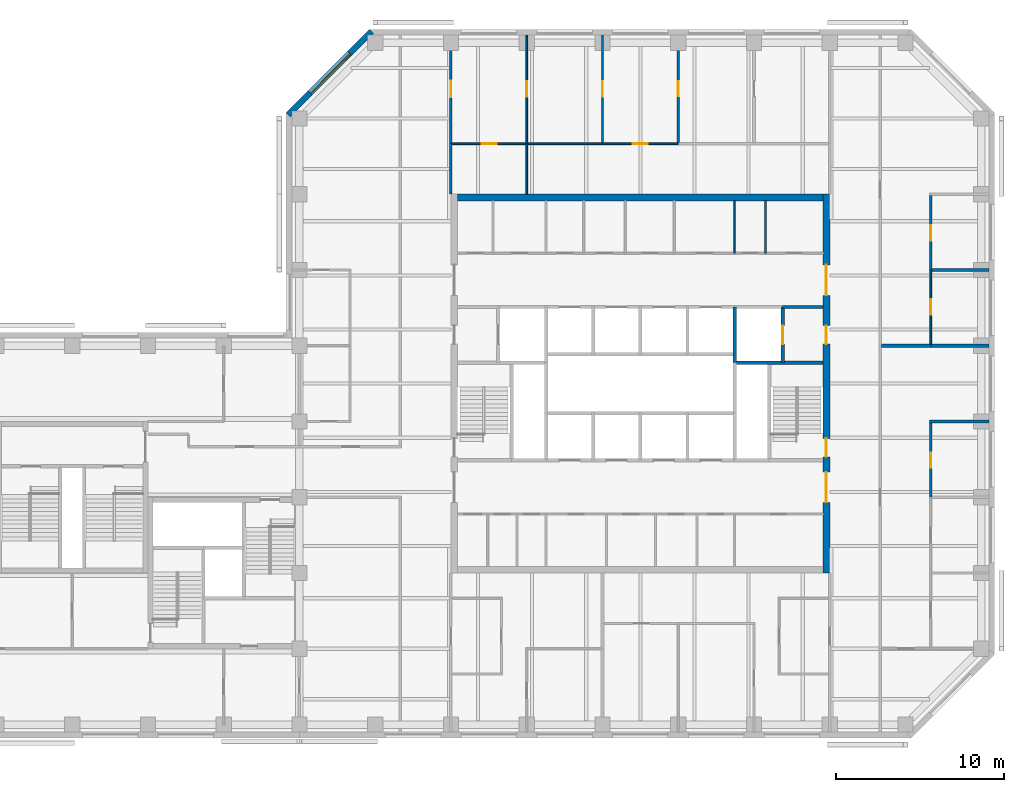
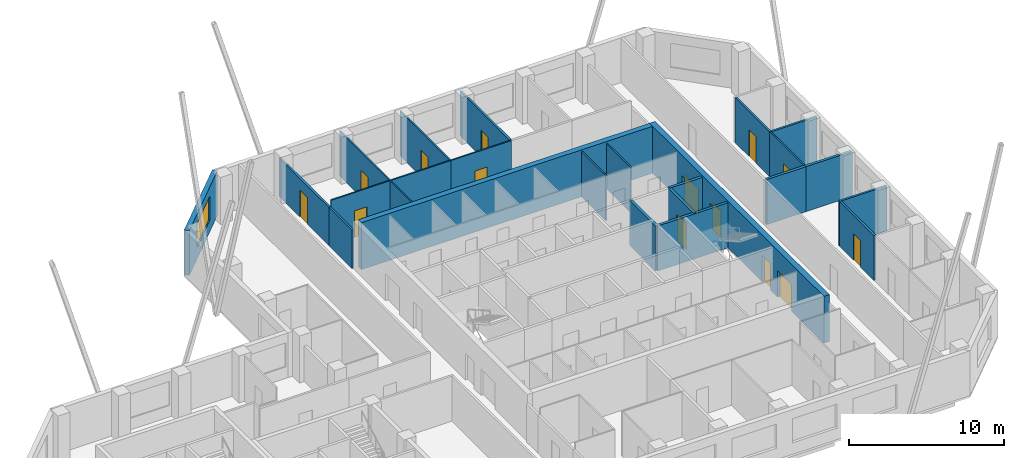
# One storey, part 7 of 10: 25 walls, 14 doors, 1 window, 15 openings.
"""IFC4 building model written with IfcOpenShell, lengths in metres."""

from ifc_helpers import new_model, si_unit, direction, frame, frame_2d, origin, place, context, subcontext, project, spatial, rectangle, extrude, material, layer, layer_set, constituent, constituent_set, type_object, element, fill, save


model = new_model("IFC4")

# Units and contexts
model_context = context("Model", 3, precision=1e-05, world=origin(), true_north=direction((0.0, 1.0)))
body_context = subcontext(model_context, "Body", "Model", "MODEL_VIEW")
ifc_project = project(units=[si_unit("LENGTHUNIT", "METRE"), si_unit("AREAUNIT", "SQUARE_METRE"), si_unit("VOLUMEUNIT", "CUBIC_METRE"), si_unit("PLANEANGLEUNIT", "RADIAN"), si_unit("MASSUNIT", "GRAM", prefix="KILO")], contexts=[model_context])

# Site, building, storey
site_placement = place(None, origin())
site = spatial("IfcSite", under=ifc_project, at=site_placement, CompositionType="ELEMENT")
building_placement = place(site_placement, origin())
building = spatial("IfcBuilding", under=site, at=building_placement, Name="Quoin Convention Tower", CompositionType="ELEMENT")
storey_placement = place(building_placement, frame((0.0, 0.0, 234.10009765625)))
storey = spatial("IfcBuildingStorey", under=building, at=storey_placement, Name="L61", CompositionType="ELEMENT", Elevation=234.10009765625)

# Walls
ifc_material_1 = material(Name="Plasterboard")
ifc_layer_1 = layer(ifc_material_1, 0.012451171875, Name="Finish")
ifc_material_2 = material(Name="Steel stud framing", Category="steel")
ifc_layer_2 = layer(ifc_material_2, 0.125, Name="Structure")
ifc_layer_3 = layer(ifc_material_1, 0.012451171875, Name="Finish")
ifc_layer_set_1 = layer_set([ifc_layer_1, ifc_layer_2, ifc_layer_3], Name="Steel stud framing")
wall_type_1 = type_object("IfcWallType", Name="Acoustic partition 150", PredefinedType="PARTITIONING", material=ifc_layer_set_1)
wall_1_placement = place(storey_placement, frame((73.425048828125, 58.5, 0.0), z_axis=(0.0, 0.0, 1.0), x_axis=(1.0, 0.0, 0.0)))
element("IfcWall", 1, at=wall_1_placement, inside=storey, type_object=wall_type_1, Name="pw-L61-021", PredefinedType="PARTITIONING", context=body_context, shape_type="SweptSolid", body=[
    extrude(rectangle(XDim=3.52490234375, YDim=0.14990234375, at=frame_2d((1.762451171875, 0.0))), origin(), (0.0, 0.0, 1.0), 3.5498046875),
])
wall_2_placement = place(storey_placement, frame((73.574951171875, 67.5, 0.0), z_axis=(0.0, 0.0, 1.0), x_axis=(1.0, 0.0, 0.0)))
element("IfcWall", 2, at=wall_2_placement, inside=storey, type_object=wall_type_1, Name="pw-L61-027", PredefinedType="PARTITIONING", context=body_context, shape_type="SweptSolid", body=[
    extrude(rectangle(XDim=3.375, YDim=0.14990234375, at=frame_2d((1.6875, 0.0))), origin(), (0.0, 0.0, 1.0), 3.5498046875),
])

# Wall, opening, door
wall_3_placement = place(storey_placement, frame((73.5, 54.0, 0.0), z_axis=(0.0, 0.0, 1.0), x_axis=(0.0, 1.0, 0.0)))
wall_3 = element("IfcWall", 3, at=wall_3_placement, inside=storey, type_object=wall_type_1, Name="pw-L61-060", PredefinedType="PARTITIONING", context=body_context, shape_type="SweptSolid", body=[
    extrude(rectangle(XDim=4.425048828125, YDim=0.14990234375, at=frame_2d((2.21240234375, 0.0))), origin(), (0.0, 0.0, 1.0), 3.5498046875),
])
opening_1_placement = place(wall_3_placement, frame((1.75, 0.0, 0.0)))
opening_1 = element("IfcOpeningElement", 4, at=opening_1_placement, cuts=wall_3, Name="Opening DOH11-19", PredefinedType="OPENING", context=body_context, shape_type="SweptSolid", body=[
    extrude(rectangle(XDim=0.89990234375, YDim=2.10009765625, at=frame_2d((0.449951171875, 1.050048828125))), frame((0.0, 0.0849609375, 0.0), z_axis=(0.0, -1.0, 0.0), x_axis=(1.0, 0.0, 0.0)), (0.0, 0.0, 1.0), 0.169921875),
])
ifc_material_3 = material(Name="Steel door leaf", Category="steel")
door_type_1 = type_object("IfcDoorType", Name="Office door 900 x 2100", OperationType="SINGLE_SWING_RIGHT", PredefinedType="DOOR", material=ifc_material_3)
door_1_placement = place(opening_1_placement, origin())
door_1 = element("IfcDoor", 5, at=door_1_placement, inside=storey, type_object=door_type_1, Name="dr-L61-28", OperationType="SINGLE_SWING_RIGHT", OverallHeight=2.10009765625, OverallWidth=0.89990234375, PredefinedType="DOOR", context=body_context, shape_type="SweptSolid", body=[
    extrude(rectangle(XDim=0.89990234375, YDim=2.10009765625, at=frame_2d((0.449951171875, 1.050048828125))), frame((0.0, 0.02490234375, 0.0), z_axis=(0.0, -1.0, 0.0), x_axis=(1.0, 0.0, 0.0)), (0.0, 0.0, 1.0), 0.050048828125),
])
fill(opening_1, door_1)

wall_4_placement = place(storey_placement, frame((73.5, 67.5, 0.0), z_axis=(0.0, 0.0, 1.0), x_axis=(0.0, 1.0, 0.0)))
wall_4 = element("IfcWall", 6, at=wall_4_placement, inside=storey, type_object=wall_type_1, Name="pw-L61-070", PredefinedType="PARTITIONING", context=body_context, shape_type="SweptSolid", body=[
    extrude(rectangle(XDim=4.425048828125, YDim=0.14990234375, at=frame_2d((2.21240234375, 0.0))), origin(), (0.0, 0.0, 1.0), 3.5498046875),
])
opening_2_placement = place(wall_4_placement, frame((1.75, 0.0, 0.0)))
opening_2 = element("IfcOpeningElement", 7, at=opening_2_placement, cuts=wall_4, Name="Opening DOH11-22", PredefinedType="OPENING", context=body_context, shape_type="SweptSolid", body=[
    extrude(rectangle(XDim=0.89990234375, YDim=2.10009765625, at=frame_2d((0.449951171875, 1.050048828125))), frame((0.0, 0.0849609375, 0.0), z_axis=(0.0, -1.0, 0.0), x_axis=(1.0, 0.0, 0.0)), (0.0, 0.0, 1.0), 0.169921875),
])
door_2_placement = place(opening_2_placement, origin())
door_2 = element("IfcDoor", 8, at=door_2_placement, inside=storey, type_object=door_type_1, Name="dr-L61-31", OperationType="SINGLE_SWING_RIGHT", OverallHeight=2.10009765625, OverallWidth=0.89990234375, PredefinedType="DOOR", context=body_context, shape_type="SweptSolid", body=[
    extrude(rectangle(XDim=0.89990234375, YDim=2.10009765625, at=frame_2d((0.449951171875, 1.050048828125))), frame((0.0, 0.02490234375, 0.0), z_axis=(0.0, -1.0, 0.0), x_axis=(1.0, 0.0, 0.0)), (0.0, 0.0, 1.0), 0.050048828125),
])
fill(opening_2, door_2)

wall_5_placement = place(storey_placement, frame((58.5, 75.074951171875, 0.0), z_axis=(0.0, 0.0, 1.0), x_axis=(0.0, 1.0, 0.0)))
wall_5 = element("IfcWall", 9, at=wall_5_placement, inside=storey, type_object=wall_type_1, Name="pw-L61-078", PredefinedType="PARTITIONING", context=body_context, shape_type="SweptSolid", body=[
    extrude(rectangle(XDim=6.375, YDim=0.14990234375, at=frame_2d((3.1875, 0.0))), origin(), (0.0, 0.0, 1.0), 3.5498046875),
])
opening_3_placement = place(wall_5_placement, frame((2.75, 0.0, 0.0)))
opening_3 = element("IfcOpeningElement", 10, at=opening_3_placement, cuts=wall_5, Name="Opening DOH11-26", PredefinedType="OPENING", context=body_context, shape_type="SweptSolid", body=[
    extrude(rectangle(XDim=0.89990234375, YDim=2.10009765625, at=frame_2d((0.449951171875, 1.050048828125))), frame((0.0, 0.0849609375, 0.0), z_axis=(0.0, -1.0, 0.0), x_axis=(1.0, 0.0, 0.0)), (0.0, 0.0, 1.0), 0.169921875),
])
door_3_placement = place(opening_3_placement, origin())
door_3 = element("IfcDoor", 11, at=door_3_placement, inside=storey, type_object=door_type_1, Name="dr-L61-20", OperationType="SINGLE_SWING_RIGHT", OverallHeight=2.10009765625, OverallWidth=0.89990234375, PredefinedType="DOOR", context=body_context, shape_type="SweptSolid", body=[
    extrude(rectangle(XDim=0.89990234375, YDim=2.10009765625, at=frame_2d((0.449951171875, 1.050048828125))), frame((0.0, 0.02490234375, 0.0), z_axis=(0.0, -1.0, 0.0), x_axis=(1.0, 0.0, 0.0)), (0.0, 0.0, 1.0), 0.050048828125),
])
fill(opening_3, door_3)

# Wall, opening, window
ifc_material_4 = material(Name="Brick masonry", Category="masonry")
ifc_layer_4 = layer(ifc_material_4, 0.35009765625)
ifc_layer_set_2 = layer_set([ifc_layer_4], Name="Brick masonry")
wall_type_2 = type_object("IfcWallType", Name="Brick facade wall", PredefinedType="STANDARD", material=ifc_layer_set_2)
wall_6_placement = place(storey_placement, frame((40.29248046875, 81.67626953125, 0.0), z_axis=(0.0, 0.0, 1.0), x_axis=(-0.707106781187, -0.707106781187, 0.0)))
wall_6 = element("IfcWall", 12, at=wall_6_placement, inside=storey, type_object=wall_type_2, Name="fw-L61-40500_81000", PredefinedType="STANDARD", context=body_context, shape_type="SweptSolid", body=[
    extrude(rectangle(XDim=7.02685546875, YDim=0.35009765625, at=frame_2d((3.513427734375, 0.0))), origin(), (0.0, 0.0, 1.0), 3.52490234375),
])
opening_4_placement = place(wall_6_placement, frame((1.86328125, 0.0, 0.89990234375)))
opening_4 = element("IfcOpeningElement", 13, at=opening_4_placement, cuts=wall_6, Name="Opening W-02", PredefinedType="OPENING", context=body_context, shape_type="SweptSolid", body=[
    extrude(rectangle(XDim=3.300048828125, YDim=1.89990234375, at=frame_2d((1.64990234375, 0.949951171875))), frame((0.0, 0.18505859375, 0.0), z_axis=(0.0, -1.0, 0.0), x_axis=(1.0, 0.0, 0.0)), (0.0, 0.0, 1.0), 0.3701171875),
])
ifc_material_5 = material(Name="Aluminium", Category="aluminium")
ifc_constituent_1 = constituent(ifc_material_5, Name="Frame")
ifc_material_6 = material(Name="Insulated glass", Category="glass")
ifc_constituent_2 = constituent(ifc_material_6, Name="Glazing")
ifc_constituent_set = constituent_set(constituents=[ifc_constituent_1, ifc_constituent_2], Name="Aluminium")
window_type = type_object("IfcWindowType", Name="Office window", PartitioningType="DOUBLE_PANEL_VERTICAL", PredefinedType="WINDOW", material=ifc_constituent_set)
window_placement = place(opening_4_placement, origin())
window = element("IfcWindow", 14, at=window_placement, inside=storey, type_object=window_type, Name="win-L61-37808_79192", OverallHeight=1.89990234375, OverallWidth=3.300048828125, PartitioningType="SINGLE_PANEL", PredefinedType="WINDOW", context=body_context, shape_type="SweptSolid", body=[
    extrude(rectangle(XDim=3.300048828125, YDim=1.89990234375, at=frame_2d((1.64990234375, 0.949951171875))), frame((0.0, 0.0849609375, 0.0), z_axis=(0.0, -1.0, 0.0), x_axis=(1.0, 0.0, 0.0)), (0.0, 0.0, 1.0), 0.06005859375),
])
fill(opening_4, window)

# Walls
ifc_layer_5 = layer(ifc_material_1, 0.012451171875, Name="Finish")
ifc_layer_6 = layer(ifc_material_2, 0.074951171875, Name="Structure")
ifc_layer_7 = layer(ifc_material_1, 0.012451171875, Name="Finish")
ifc_layer_set_3 = layer_set([ifc_layer_5, ifc_layer_6, ifc_layer_7], Name="Steel stud framing")
wall_type_3 = type_object("IfcWallType", Name="Core partition wall", PredefinedType="PARTITIONING", material=ifc_layer_set_3)
for number, where, z_axis, x_axis, name in (
    (15, (61.85009765625, 68.5, 0.0), (0.0, 0.0, 1.0), (0.0, 1.0, 0.0), "cr-C1-L61-v16850_19000"),
    (16, (63.6875, 68.5, 0.0), (0.0, 0.0, 1.0), (0.0, 1.0, 0.0), "cr-C1-L61-v18688_19000"),
):
    element("IfcWall", number, at=place(storey_placement, frame(where, z_axis=z_axis, x_axis=x_axis)), inside=storey, type_object=wall_type_3, Name=name, PredefinedType="PARTITIONING", context=body_context, shape_type="SweptSolid", body=[
        extrude(rectangle(XDim=3.10009765625, YDim=0.10009765625, at=frame_2d((1.550048828125, 0.0))), origin(), (0.0, 0.0, 1.0), 3.5498046875),
    ])
ifc_material_7 = material(Name="Concrete C50", Category="concrete")
ifc_layer_8 = layer(ifc_material_7, 0.199951171875)
ifc_layer_set_4 = layer_set([ifc_layer_8], Name="Concrete C50")
wall_type_4 = type_object("IfcWallType", Name="Core shaft wall", PredefinedType="SOLIDWALL", material=ifc_layer_set_4)
wall_7_placement = place(storey_placement, frame((61.85009765625, 62.0, 0.0), z_axis=(0.0, 0.0, 1.0), x_axis=(1.0, 0.0, 0.0)))
element("IfcWall", 17, at=wall_7_placement, inside=storey, type_object=wall_type_4, Name="cr-C1-L61-h12500_16850", PredefinedType="SOLIDWALL", context=body_context, shape_type="SweptSolid", body=[
    extrude(rectangle(XDim=5.25, YDim=0.199951171875, at=frame_2d((2.625, 0.0))), origin(), (0.0, 0.0, 1.0), 3.5498046875),
])
wall_8_placement = place(storey_placement, frame((64.699951171875, 65.300048828125, 0.0), z_axis=(0.0, 0.0, 1.0), x_axis=(1.0, 0.0, 0.0)))
element("IfcWall", 18, at=wall_8_placement, inside=storey, type_object=wall_type_4, Name="cr-C1-L61-h15800_19700", PredefinedType="SOLIDWALL", context=body_context, shape_type="SweptSolid", body=[
    extrude(rectangle(XDim=2.400146484375, YDim=0.199951171875, at=frame_2d((1.2001953125, 0.0))), origin(), (0.0, 0.0, 1.0), 3.5498046875),
])
wall_9_placement = place(storey_placement, frame((61.85009765625, 62.0, 0.0), z_axis=(0.0, 0.0, 1.0), x_axis=(0.0, 1.0, 0.0)))
element("IfcWall", 19, at=wall_9_placement, inside=storey, type_object=wall_type_4, Name="cr-C1-L61-v16850_12500", PredefinedType="SOLIDWALL", context=body_context, shape_type="SweptSolid", body=[
    extrude(rectangle(XDim=3.300048828125, YDim=0.199951171875, at=frame_2d((1.64990234375, 0.0))), origin(), (0.0, 0.0, 1.0), 3.5498046875),
])

# Wall, opening, door
wall_10_placement = place(storey_placement, frame((64.699951171875, 62.0, 0.0), z_axis=(0.0, 0.0, 1.0), x_axis=(0.0, 1.0, 0.0)))
wall_10 = element("IfcWall", 20, at=wall_10_placement, inside=storey, type_object=wall_type_4, Name="cr-C1-L61-v19700_12500", PredefinedType="SOLIDWALL", context=body_context, shape_type="SweptSolid", body=[
    extrude(rectangle(XDim=3.300048828125, YDim=0.199951171875, at=frame_2d((1.64990234375, 0.0))), origin(), (0.0, 0.0, 1.0), 3.5498046875),
])
opening_5_placement = place(wall_10_placement, frame((1.10009765625, 0.0, 0.0)))
opening_5 = element("IfcOpeningElement", 21, at=opening_5_placement, cuts=wall_10, Name="Opening LDFL2", PredefinedType="OPENING", context=body_context, shape_type="SweptSolid", body=[
    extrude(rectangle(XDim=1.10009765625, YDim=2.10009765625, at=frame_2d((0.550048828125, 1.050048828125))), frame((0.0, 0.10986328125, 0.0), z_axis=(0.0, -1.0, 0.0), x_axis=(1.0, 0.0, 0.0)), (0.0, 0.0, 1.0), 0.219970703125),
])
door_type_2 = type_object("IfcDoorType", Name="Lift landing door 1100 x 2100", OperationType="DOUBLE_DOOR_SLIDING", PredefinedType="DOOR", material=ifc_material_3)
door_4_placement = place(opening_5_placement, origin())
door_4 = element("IfcDoor", 22, at=door_4_placement, inside=storey, type_object=door_type_2, Name="cd-C1-L61-FLE-FFE-LDFL2", OperationType="DOUBLE_DOOR_SLIDING", OverallHeight=2.10009765625, OverallWidth=1.10009765625, PredefinedType="DOOR", context=body_context, shape_type="SweptSolid", body=[
    extrude(rectangle(XDim=1.10009765625, YDim=2.10009765625, at=frame_2d((0.550048828125, 1.050048828125))), frame((0.0, 0.02490234375, 0.0), z_axis=(0.0, -1.0, 0.0), x_axis=(1.0, 0.0, 0.0)), (0.0, 0.0, 1.0), 0.050048828125),
])
fill(opening_5, door_4)

# Wall
ifc_layer_9 = layer(ifc_material_1, 0.012451171875, Name="Finish")
ifc_layer_10 = layer(ifc_material_2, 0.125, Name="Structure")
ifc_layer_11 = layer(ifc_material_1, 0.012451171875, Name="Finish")
ifc_layer_set_5 = layer_set([ifc_layer_9, ifc_layer_10, ifc_layer_11], Name="Steel stud framing")
wall_type_5 = type_object("IfcWallType", Name="Corridor wall 150 under beam 528", PredefinedType="PARTITIONING", material=ifc_layer_set_5)
wall_11_placement = place(storey_placement, frame((45.0, 72.0, 0.0), z_axis=(0.0, 0.0, 1.0), x_axis=(0.0, 1.0, 0.0)))
element("IfcWall", 23, at=wall_11_placement, inside=storey, type_object=wall_type_5, Name="pw-L61-071", PredefinedType="PARTITIONING", context=body_context, shape_type="SweptSolid", body=[
    extrude(rectangle(XDim=3.0, YDim=0.14990234375, at=frame_2d((1.5, 0.0))), origin(), (0.0, 0.0, 1.0), 3.02197265625),
])

# Wall, opening, door
wall_12_placement = place(storey_placement, frame((45.0, 75.0, 0.0), z_axis=(0.0, 0.0, 1.0), x_axis=(0.0, 1.0, 0.0)))
wall_12 = element("IfcWall", 24, at=wall_12_placement, inside=storey, type_object=wall_type_5, Name="pw-L61-074", PredefinedType="PARTITIONING", context=body_context, shape_type="SweptSolid", body=[
    extrude(rectangle(XDim=6.449951171875, YDim=0.14990234375, at=frame_2d((3.22509765625, 0.0))), origin(), (0.0, 0.0, 1.0), 3.02197265625),
])
opening_6_placement = place(wall_12_placement, frame((2.75, 0.0, 0.0)))
opening_6 = element("IfcOpeningElement", 25, at=opening_6_placement, cuts=wall_12, Name="Opening DOH11-23", PredefinedType="OPENING", context=body_context, shape_type="SweptSolid", body=[
    extrude(rectangle(XDim=1.0, YDim=2.10009765625, at=frame_2d((0.5, 1.050048828125))), frame((0.0, 0.0849609375, 0.0), z_axis=(0.0, -1.0, 0.0), x_axis=(1.0, 0.0, 0.0)), (0.0, 0.0, 1.0), 0.169921875),
])
door_type_3 = type_object("IfcDoorType", Name="Tenancy entrance door 1000 x 2100", OperationType="DOUBLE_DOOR_SINGLE_SWING", PredefinedType="DOOR", material=ifc_material_3)
door_5_placement = place(opening_6_placement, frame((1.0, 0.0, 0.0), z_axis=(0.0, 0.0, 1.0), x_axis=(-1.0, 0.0, 0.0)))
door_5 = element("IfcDoor", 26, at=door_5_placement, inside=storey, type_object=door_type_3, Name="dr-L61-17", OperationType="DOUBLE_DOOR_SINGLE_SWING", OverallHeight=2.10009765625, OverallWidth=1.0, PredefinedType="DOOR", context=body_context, shape_type="SweptSolid", body=[
    extrude(rectangle(XDim=1.0, YDim=2.10009765625, at=frame_2d((0.5, 1.050048828125))), frame((0.0, 0.02490234375, 0.0), z_axis=(0.0, -1.0, 0.0), x_axis=(1.0, 0.0, 0.0)), (0.0, 0.0, 1.0), 0.050048828125),
])
fill(opening_6, door_5)

# Wall
ifc_layer_12 = layer(ifc_material_7, 0.39990234375)
ifc_layer_set_6 = layer_set([ifc_layer_12], Name="Concrete C50")
wall_type_6 = type_object("IfcWallType", Name="RC CORE WALL 400 C50", PredefinedType="SHEAR", material=ifc_layer_set_6)
wall_13_placement = place(storey_placement, frame((45.39990234375, 71.800048828125, 0.0), z_axis=(0.0, 0.0, 1.0), x_axis=(1.0, 0.0, 0.0)))
element("IfcWall", 27, at=wall_13_placement, inside=storey, type_object=wall_type_6, Name="cwl-C1-L61-N", PredefinedType="SHEAR", context=body_context, shape_type="SweptSolid", body=[
    extrude(rectangle(XDim=21.7001953125, YDim=0.39990234375, at=frame_2d((10.85009765625, 0.0))), origin(), (0.0, 0.0, 1.0), 3.699951171875),
])

# Wall, openings, doors
wall_14_placement = place(storey_placement, frame((67.300048828125, 49.5, 0.0), z_axis=(0.0, 0.0, 1.0), x_axis=(0.0, 1.0, 0.0)))
wall_14 = element("IfcWall", 28, at=wall_14_placement, inside=storey, type_object=wall_type_6, Name="cwl-C1-L61-E", PredefinedType="SHEAR", context=body_context, shape_type="SweptSolid", body=[
    extrude(rectangle(XDim=22.5, YDim=0.39990234375, at=frame_2d((11.25, 0.0))), origin(), (0.0, 0.0, 1.0), 3.699951171875),
])
opening_7_placement = place(wall_14_placement, frame((4.199951171875, 0.0, 0.0)))
opening_7 = element("IfcOpeningElement", 29, at=opening_7_placement, cuts=wall_14, Name="Opening DCV3-38", PredefinedType="OPENING", context=body_context, shape_type="SweptSolid", body=[
    extrude(rectangle(XDim=1.800048828125, YDim=2.10009765625, at=frame_2d((0.89990234375, 1.050048828125))), frame((0.0, 0.2099609375, 0.0), z_axis=(0.0, -1.0, 0.0), x_axis=(1.0, 0.0, 0.0)), (0.0, 0.0, 1.0), 0.419921875),
])
opening_8_placement = place(wall_14_placement, frame((6.89990234375, 0.0, 0.0)))
opening_8 = element("IfcOpeningElement", 30, at=opening_8_placement, cuts=wall_14, Name="Opening SD2", PredefinedType="OPENING", context=body_context, shape_type="SweptSolid", body=[
    extrude(rectangle(XDim=1.10009765625, YDim=2.10009765625, at=frame_2d((0.550048828125, 1.050048828125))), frame((0.0, 0.2099609375, 0.0), z_axis=(0.0, -1.0, 0.0), x_axis=(1.0, 0.0, 0.0)), (0.0, 0.0, 1.0), 0.419921875),
])
opening_9_placement = place(wall_14_placement, frame((13.60009765625, 0.0, 0.0)))
opening_9 = element("IfcOpeningElement", 31, at=opening_9_placement, cuts=wall_14, Name="Opening DCV3-37", PredefinedType="OPENING", context=body_context, shape_type="SweptSolid", body=[
    extrude(rectangle(XDim=1.10009765625, YDim=2.10009765625, at=frame_2d((0.550048828125, 1.050048828125))), frame((0.0, 0.2099609375, 0.0), z_axis=(0.0, -1.0, 0.0), x_axis=(1.0, 0.0, 0.0)), (0.0, 0.0, 1.0), 0.419921875),
])
opening_10_placement = place(wall_14_placement, frame((16.5, 0.0, 0.0)))
opening_10 = element("IfcOpeningElement", 32, at=opening_10_placement, cuts=wall_14, Name="Opening DCV3-38", PredefinedType="OPENING", context=body_context, shape_type="SweptSolid", body=[
    extrude(rectangle(XDim=1.800048828125, YDim=2.10009765625, at=frame_2d((0.89990234375, 1.050048828125))), frame((0.0, 0.2099609375, 0.0), z_axis=(0.0, -1.0, 0.0), x_axis=(1.0, 0.0, 0.0)), (0.0, 0.0, 1.0), 0.419921875),
])
door_type_4 = type_object("IfcDoorType", Name="Fire-fighting lobby door 1100 x 2100", OperationType="SINGLE_SWING_LEFT", PredefinedType="DOOR", material=ifc_material_3)
door_6_placement = place(opening_9_placement, origin())
door_6 = element("IfcDoor", 33, at=door_6_placement, inside=storey, type_object=door_type_4, Name="cd-C1-L61-FFE-E", OperationType="SINGLE_SWING_RIGHT", OverallHeight=2.10009765625, OverallWidth=1.10009765625, PredefinedType="DOOR", context=body_context, shape_type="SweptSolid", body=[
    extrude(rectangle(XDim=1.10009765625, YDim=2.10009765625, at=frame_2d((0.550048828125, 1.050048828125))), frame((0.0, 0.02490234375, 0.0), z_axis=(0.0, -1.0, 0.0), x_axis=(1.0, 0.0, 0.0)), (0.0, 0.0, 1.0), 0.050048828125),
])
fill(opening_9, door_6)
door_type_5 = type_object("IfcDoorType", Name="Lift lobby door 1800 x 2100", OperationType="SINGLE_SWING_LEFT", PredefinedType="DOOR", material=ifc_material_3)
door_7_placement = place(opening_7_placement, origin())
door_7 = element("IfcDoor", 34, at=door_7_placement, inside=storey, type_object=door_type_5, Name="cd-C1-L61-lobA-E", OperationType="SINGLE_SWING_RIGHT", OverallHeight=2.10009765625, OverallWidth=1.800048828125, PredefinedType="DOOR", context=body_context, shape_type="SweptSolid", body=[
    extrude(rectangle(XDim=1.800048828125, YDim=2.10009765625, at=frame_2d((0.89990234375, 1.050048828125))), frame((0.0, 0.02490234375, 0.0), z_axis=(0.0, -1.0, 0.0), x_axis=(1.0, 0.0, 0.0)), (0.0, 0.0, 1.0), 0.050048828125),
])
fill(opening_7, door_7)
door_8_placement = place(opening_10_placement, origin())
door_8 = element("IfcDoor", 35, at=door_8_placement, inside=storey, type_object=door_type_5, Name="cd-C1-L61-lobB-E", OperationType="SINGLE_SWING_RIGHT", OverallHeight=2.10009765625, OverallWidth=1.800048828125, PredefinedType="DOOR", context=body_context, shape_type="SweptSolid", body=[
    extrude(rectangle(XDim=1.800048828125, YDim=2.10009765625, at=frame_2d((0.89990234375, 1.050048828125))), frame((0.0, 0.02490234375, 0.0), z_axis=(0.0, -1.0, 0.0), x_axis=(1.0, 0.0, 0.0)), (0.0, 0.0, 1.0), 0.050048828125),
])
fill(opening_10, door_8)
door_type_6 = type_object("IfcDoorType", Name="Stair door 1100 x 2100", OperationType="SINGLE_SWING_RIGHT", PredefinedType="DOOR", material=ifc_material_3)
door_9_placement = place(opening_8_placement, origin())
door_9 = element("IfcDoor", 36, at=door_9_placement, inside=storey, type_object=door_type_6, Name="cd-C1-L61-STE-E", OperationType="SINGLE_SWING_LEFT", OverallHeight=2.10009765625, OverallWidth=1.10009765625, PredefinedType="DOOR", context=body_context, shape_type="SweptSolid", body=[
    extrude(rectangle(XDim=1.10009765625, YDim=2.10009765625, at=frame_2d((0.550048828125, 1.050048828125))), frame((0.0, 0.02490234375, 0.0), z_axis=(0.0, -1.0, 0.0), x_axis=(1.0, 0.0, 0.0)), (0.0, 0.0, 1.0), 0.050048828125),
])
fill(opening_8, door_9)

# Wall, opening, door
ifc_layer_13 = layer(ifc_material_1, 0.012451171875, Name="Finish")
ifc_layer_14 = layer(ifc_material_2, 0.074951171875, Name="Structure")
ifc_layer_15 = layer(ifc_material_1, 0.012451171875, Name="Finish")
ifc_layer_set_7 = layer_set([ifc_layer_13, ifc_layer_14, ifc_layer_15], Name="Steel stud framing")
wall_type_7 = type_object("IfcWallType", Name="Stud partition 100", PredefinedType="PARTITIONING", material=ifc_layer_set_7)
wall_15_placement = place(storey_placement, frame((45.074951171875, 75.0, 0.0), z_axis=(0.0, 0.0, 1.0), x_axis=(1.0, 0.0, 0.0)))
wall_15 = element("IfcWall", 37, at=wall_15_placement, inside=storey, type_object=wall_type_7, Name="pw-L61-029", PredefinedType="PARTITIONING", context=body_context, shape_type="SweptSolid", body=[
    extrude(rectangle(XDim=4.375, YDim=0.10009765625, at=frame_2d((2.1875, 0.0))), origin(), (0.0, 0.0, 1.0), 3.5498046875),
])
opening_11_placement = place(wall_15_placement, frame((1.75, 0.0, 0.0)))
opening_11 = element("IfcOpeningElement", 38, at=opening_11_placement, cuts=wall_15, Name="Opening DOH11-07", PredefinedType="OPENING", context=body_context, shape_type="SweptSolid", body=[
    extrude(rectangle(XDim=0.89990234375, YDim=2.10009765625, at=frame_2d((0.449951171875, 1.050048828125))), frame((0.0, 0.06005859375, 0.0), z_axis=(0.0, -1.0, 0.0), x_axis=(1.0, 0.0, 0.0)), (0.0, 0.0, 1.0), 0.1201171875),
])
door_10_placement = place(opening_11_placement, origin())
door_10 = element("IfcDoor", 39, at=door_10_placement, inside=storey, type_object=door_type_1, Name="dr-L61-22", OperationType="SINGLE_SWING_RIGHT", OverallHeight=2.10009765625, OverallWidth=0.89990234375, PredefinedType="DOOR", context=body_context, shape_type="SweptSolid", body=[
    extrude(rectangle(XDim=0.89990234375, YDim=2.10009765625, at=frame_2d((0.449951171875, 1.050048828125))), frame((0.0, 0.02490234375, 0.0), z_axis=(0.0, -1.0, 0.0), x_axis=(1.0, 0.0, 0.0)), (0.0, 0.0, 1.0), 0.050048828125),
])
fill(opening_11, door_10)

# Wall
wall_16_placement = place(storey_placement, frame((49.550048828125, 75.0, 0.0), z_axis=(0.0, 0.0, 1.0), x_axis=(1.0, 0.0, 0.0)))
element("IfcWall", 40, at=wall_16_placement, inside=storey, type_object=wall_type_7, Name="pw-L61-030", PredefinedType="PARTITIONING", context=body_context, shape_type="SweptSolid", body=[
    extrude(rectangle(XDim=4.449951171875, YDim=0.10009765625, at=frame_2d((2.22509765625, 0.0))), origin(), (0.0, 0.0, 1.0), 3.5498046875),
])

# Wall, opening, door
wall_17_placement = place(storey_placement, frame((54.0, 75.0, 0.0), z_axis=(0.0, 0.0, 1.0), x_axis=(1.0, 0.0, 0.0)))
wall_17 = element("IfcWall", 41, at=wall_17_placement, inside=storey, type_object=wall_type_7, Name="pw-L61-031", PredefinedType="PARTITIONING", context=body_context, shape_type="SweptSolid", body=[
    extrude(rectangle(XDim=4.5, YDim=0.10009765625, at=frame_2d((2.25, 0.0))), origin(), (0.0, 0.0, 1.0), 3.5498046875),
])
opening_12_placement = place(wall_17_placement, frame((1.800048828125, 0.0, 0.0)))
opening_12 = element("IfcOpeningElement", 42, at=opening_12_placement, cuts=wall_17, Name="Opening DOH11-08", PredefinedType="OPENING", context=body_context, shape_type="SweptSolid", body=[
    extrude(rectangle(XDim=0.89990234375, YDim=2.10009765625, at=frame_2d((0.449951171875, 1.050048828125))), frame((0.0, 0.06005859375, 0.0), z_axis=(0.0, -1.0, 0.0), x_axis=(1.0, 0.0, 0.0)), (0.0, 0.0, 1.0), 0.1201171875),
])
door_11_placement = place(opening_12_placement, frame((0.89990234375, 0.0, 0.0), z_axis=(0.0, 0.0, 1.0), x_axis=(-1.0, 0.0, 0.0)))
door_11 = element("IfcDoor", 43, at=door_11_placement, inside=storey, type_object=door_type_1, Name="dr-L61-23", OperationType="SINGLE_SWING_LEFT", OverallHeight=2.10009765625, OverallWidth=0.89990234375, PredefinedType="DOOR", context=body_context, shape_type="SweptSolid", body=[
    extrude(rectangle(XDim=0.89990234375, YDim=2.10009765625, at=frame_2d((0.449951171875, 1.050048828125))), frame((0.0, 0.02490234375, 0.0), z_axis=(0.0, -1.0, 0.0), x_axis=(1.0, 0.0, 0.0)), (0.0, 0.0, 1.0), 0.050048828125),
])
fill(opening_12, door_11)

wall_18_placement = place(storey_placement, frame((73.5, 63.10009765625, 0.0), z_axis=(0.0, 0.0, 1.0), x_axis=(0.0, 1.0, 0.0)))
wall_18 = element("IfcWall", 44, at=wall_18_placement, inside=storey, type_object=wall_type_7, Name="pw-L61-069", PredefinedType="PARTITIONING", context=body_context, shape_type="SweptSolid", body=[
    extrude(rectangle(XDim=4.39990234375, YDim=0.10009765625, at=frame_2d((2.199951171875, 0.0))), origin(), (0.0, 0.0, 1.0), 3.5498046875),
])
opening_13_placement = place(wall_18_placement, frame((1.75, 0.0, 0.0)))
opening_13 = element("IfcOpeningElement", 45, at=opening_13_placement, cuts=wall_18, Name="Opening DOH11-21", PredefinedType="OPENING", context=body_context, shape_type="SweptSolid", body=[
    extrude(rectangle(XDim=0.89990234375, YDim=2.10009765625, at=frame_2d((0.449951171875, 1.050048828125))), frame((0.0, 0.06005859375, 0.0), z_axis=(0.0, -1.0, 0.0), x_axis=(1.0, 0.0, 0.0)), (0.0, 0.0, 1.0), 0.1201171875),
])
door_12_placement = place(opening_13_placement, origin())
door_12 = element("IfcDoor", 46, at=door_12_placement, inside=storey, type_object=door_type_1, Name="dr-L61-30", OperationType="SINGLE_SWING_RIGHT", OverallHeight=2.10009765625, OverallWidth=0.89990234375, PredefinedType="DOOR", context=body_context, shape_type="SweptSolid", body=[
    extrude(rectangle(XDim=0.89990234375, YDim=2.10009765625, at=frame_2d((0.449951171875, 1.050048828125))), frame((0.0, 0.02490234375, 0.0), z_axis=(0.0, -1.0, 0.0), x_axis=(1.0, 0.0, 0.0)), (0.0, 0.0, 1.0), 0.050048828125),
])
fill(opening_13, door_12)

# Wall
wall_19_placement = place(storey_placement, frame((49.5, 72.0, 0.0), z_axis=(0.0, 0.0, 1.0), x_axis=(0.0, 1.0, 0.0)))
element("IfcWall", 47, at=wall_19_placement, inside=storey, type_object=wall_type_7, Name="pw-L61-072", PredefinedType="PARTITIONING", context=body_context, shape_type="SweptSolid", body=[
    extrude(rectangle(XDim=3.0, YDim=0.10009765625, at=frame_2d((1.5, 0.0))), origin(), (0.0, 0.0, 1.0), 3.5498046875),
])

# Wall, opening, door
wall_20_placement = place(storey_placement, frame((49.5, 75.0, 0.0), z_axis=(0.0, 0.0, 1.0), x_axis=(0.0, 1.0, 0.0)))
wall_20 = element("IfcWall", 48, at=wall_20_placement, inside=storey, type_object=wall_type_7, Name="pw-L61-075", PredefinedType="PARTITIONING", context=body_context, shape_type="SweptSolid", body=[
    extrude(rectangle(XDim=6.449951171875, YDim=0.10009765625, at=frame_2d((3.22509765625, 0.0))), origin(), (0.0, 0.0, 1.0), 3.5498046875),
])
opening_14_placement = place(wall_20_placement, frame((2.800048828125, 0.0, 0.0)))
opening_14 = element("IfcOpeningElement", 49, at=opening_14_placement, cuts=wall_20, Name="Opening DOH11-24", PredefinedType="OPENING", context=body_context, shape_type="SweptSolid", body=[
    extrude(rectangle(XDim=0.89990234375, YDim=2.10009765625, at=frame_2d((0.449951171875, 1.050048828125))), frame((0.0, 0.06005859375, 0.0), z_axis=(0.0, -1.0, 0.0), x_axis=(1.0, 0.0, 0.0)), (0.0, 0.0, 1.0), 0.1201171875),
])
door_13_placement = place(opening_14_placement, frame((0.89990234375, 0.0, 0.0), z_axis=(0.0, 0.0, 1.0), x_axis=(-1.0, 0.0, 0.0)))
door_13 = element("IfcDoor", 50, at=door_13_placement, inside=storey, type_object=door_type_1, Name="dr-L61-18", OperationType="SINGLE_SWING_LEFT", OverallHeight=2.10009765625, OverallWidth=0.89990234375, PredefinedType="DOOR", context=body_context, shape_type="SweptSolid", body=[
    extrude(rectangle(XDim=0.89990234375, YDim=2.10009765625, at=frame_2d((0.449951171875, 1.050048828125))), frame((0.0, 0.02490234375, 0.0), z_axis=(0.0, -1.0, 0.0), x_axis=(1.0, 0.0, 0.0)), (0.0, 0.0, 1.0), 0.050048828125),
])
fill(opening_14, door_13)

wall_21_placement = place(storey_placement, frame((54.0, 75.050048828125, 0.0), z_axis=(0.0, 0.0, 1.0), x_axis=(0.0, 1.0, 0.0)))
wall_21 = element("IfcWall", 51, at=wall_21_placement, inside=storey, type_object=wall_type_7, Name="pw-L61-077", PredefinedType="PARTITIONING", context=body_context, shape_type="SweptSolid", body=[
    extrude(rectangle(XDim=6.39990234375, YDim=0.10009765625, at=frame_2d((3.199951171875, 0.0))), origin(), (0.0, 0.0, 1.0), 3.5498046875),
])
opening_15_placement = place(wall_21_placement, frame((2.75, 0.0, 0.0)))
opening_15 = element("IfcOpeningElement", 52, at=opening_15_placement, cuts=wall_21, Name="Opening DOH11-25", PredefinedType="OPENING", context=body_context, shape_type="SweptSolid", body=[
    extrude(rectangle(XDim=0.89990234375, YDim=2.10009765625, at=frame_2d((0.449951171875, 1.050048828125))), frame((0.0, 0.06005859375, 0.0), z_axis=(0.0, -1.0, 0.0), x_axis=(1.0, 0.0, 0.0)), (0.0, 0.0, 1.0), 0.1201171875),
])
door_14_placement = place(opening_15_placement, origin())
door_14 = element("IfcDoor", 53, at=door_14_placement, inside=storey, type_object=door_type_1, Name="dr-L61-19", OperationType="SINGLE_SWING_RIGHT", OverallHeight=2.10009765625, OverallWidth=0.89990234375, PredefinedType="DOOR", context=body_context, shape_type="SweptSolid", body=[
    extrude(rectangle(XDim=0.89990234375, YDim=2.10009765625, at=frame_2d((0.449951171875, 1.050048828125))), frame((0.0, 0.02490234375, 0.0), z_axis=(0.0, -1.0, 0.0), x_axis=(1.0, 0.0, 0.0)), (0.0, 0.0, 1.0), 0.050048828125),
])
fill(opening_15, door_14)

# Walls
ifc_layer_16 = layer(ifc_material_1, 0.012451171875, Name="Finish")
ifc_layer_17 = layer(ifc_material_2, 0.175048828125, Name="Structure")
ifc_layer_18 = layer(ifc_material_1, 0.012451171875, Name="Finish")
ifc_layer_set_8 = layer_set([ifc_layer_16, ifc_layer_17, ifc_layer_18], Name="Steel stud framing")
wall_type_8 = type_object("IfcWallType", Name="Tenancy demising wall 200", PredefinedType="PARTITIONING", material=ifc_layer_set_8)
wall_22_placement = place(storey_placement, frame((70.574951171875, 63.0, 0.0), z_axis=(0.0, 0.0, 1.0), x_axis=(1.0, 0.0, 0.0)))
element("IfcWall", 54, at=wall_22_placement, inside=storey, type_object=wall_type_8, Name="pw-L61-024", PredefinedType="PARTITIONING", context=body_context, shape_type="SweptSolid", body=[
    extrude(rectangle(XDim=2.925048828125, YDim=0.199951171875, at=frame_2d((1.46240234375, 0.0))), origin(), (0.0, 0.0, 1.0), 3.5498046875),
])
wall_23_placement = place(storey_placement, frame((73.5, 63.0, 0.0), z_axis=(0.0, 0.0, 1.0), x_axis=(1.0, 0.0, 0.0)))
element("IfcWall", 55, at=wall_23_placement, inside=storey, type_object=wall_type_8, Name="pw-L61-025", PredefinedType="PARTITIONING", context=body_context, shape_type="SweptSolid", body=[
    extrude(rectangle(XDim=3.449951171875, YDim=0.199951171875, at=frame_2d((1.72509765625, 0.0))), origin(), (0.0, 0.0, 1.0), 3.5498046875),
])

save(model, "model.ifc")
